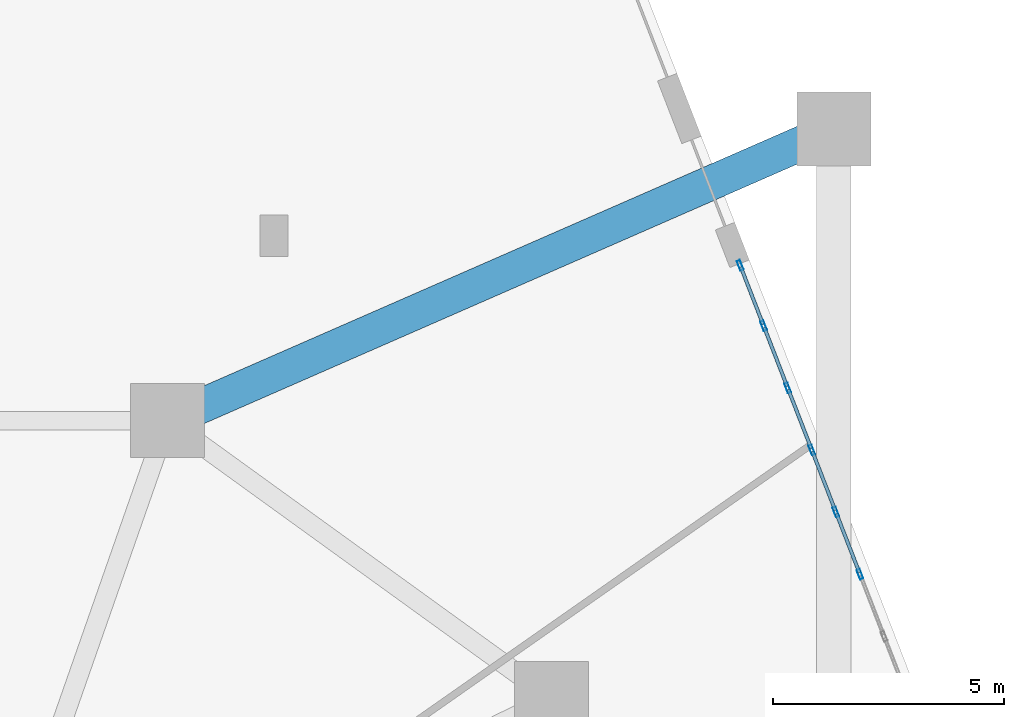
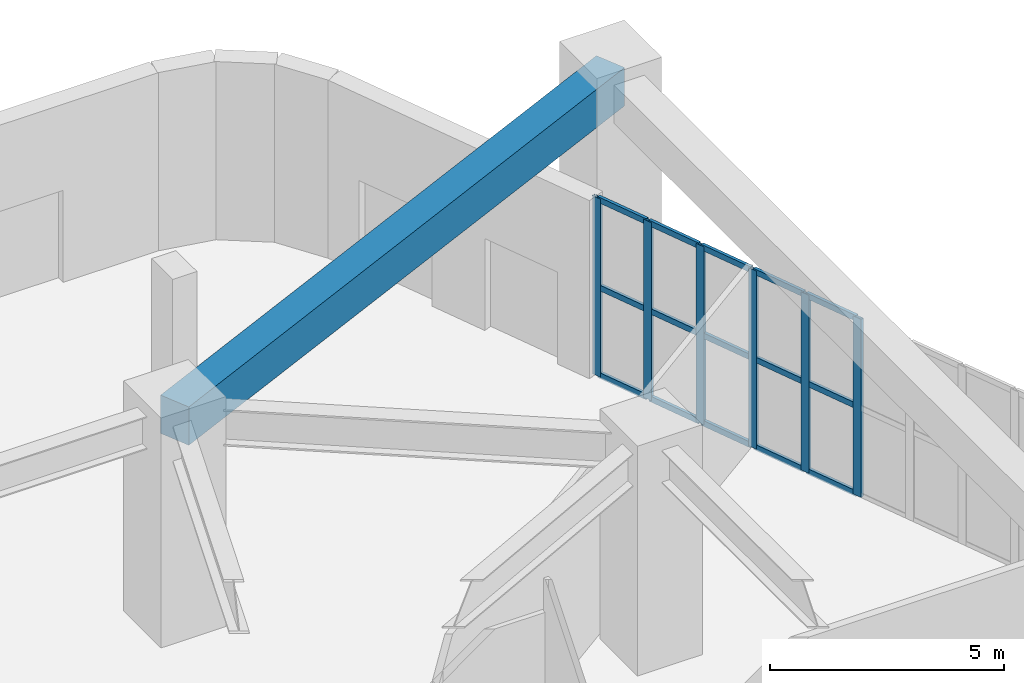
# One storey, part 19 of 35: 21 members, 1 beam, 1 element without a shape of its own.
"""IFC4 building model written with IfcOpenShell, lengths in metres."""

import ifcopenshell
import ifcopenshell.guid

model = None  # the IFC model being written
_history = None  # IfcOwnerHistory: only IFC2X3 demands one
_inside = {}  # id of a spatial element -> (the spatial element, [elements in it])
_under = {}  # id of a project, library or spatial element -> (it, [spatial elements below it])
_declared = {}  # id of a project -> (the project, [libraries it declares])
_typed = {}  # id of a type object -> (the type object, [elements of that type])
_made_of = {}  # id of a material, layer set ... -> (it, [elements and type objects made of it])


def new_model(schema):
    """Start an empty IFC model of exactly this schema.

    Asked for "IFC4X3", IfcOpenShell would pick the latest addendum, in which some entities
    have other attributes; the version numbers below select the first issue.
    IFC2X3 requires an IfcOwnerHistory on every rooted entity: one is made here for all.
    """
    global model, _history
    if schema == "IFC4X3":
        model = ifcopenshell.file(schema_version=(4, 3, 0, 0))
    else:
        model = ifcopenshell.file(schema=schema)
    _inside.clear()
    _under.clear()
    _declared.clear()
    _typed.clear()
    _made_of.clear()
    _history = None
    if model.schema == "IFC2X3":
        org = make("IfcOrganization", Name="unknown")
        user = make(
            "IfcPersonAndOrganization",
            ThePerson=make("IfcPerson", FamilyName="unknown"),
            TheOrganization=org,
        )
        app = make(
            "IfcApplication",
            ApplicationDeveloper=org,
            Version="unknown",
            ApplicationFullName="unknown",
            ApplicationIdentifier="unknown",
        )
        _history = make(
            "IfcOwnerHistory",
            OwningUser=user,
            OwningApplication=app,
            ChangeAction="ADDED",
            CreationDate=0,
        )
    return model


def make(cls, **values):
    """One entity of the class cls with the attributes given. An attribute that is None is left unset."""
    return model.create_entity(
        cls, **{name: value for name, value in values.items() if value is not None}
    )


def rooted(cls, **values):
    """An entity with a GlobalId (a new one), such as an element, a storey or a relation."""
    return make(cls, GlobalId=ifcopenshell.guid.new(), OwnerHistory=_history, **values)


def si_unit(unit_type, name, prefix=None):
    """IfcSIUnit, for example si_unit("LENGTHUNIT", "METRE", prefix="MILLI")."""
    return make("IfcSIUnit", UnitType=unit_type, Prefix=prefix, Name=name)


def assignment(units):
    """IfcUnitAssignment: the units of a project."""
    return None if units is None else make("IfcUnitAssignment", Units=units)


def point(xyz):
    """IfcCartesianPoint."""
    return None if xyz is None else make("IfcCartesianPoint", Coordinates=xyz)


def direction(xyz):
    """IfcDirection."""
    return None if xyz is None else make("IfcDirection", DirectionRatios=xyz)


def frame(location, z_axis=None, x_axis=None):
    """IfcAxis2Placement3D, a coordinate frame: its origin and axes. An axis left out is left unset."""
    return make(
        "IfcAxis2Placement3D",
        Location=point(location),
        Axis=direction(z_axis),
        RefDirection=direction(x_axis),
    )


def frame_2d(location, x_axis=None):
    """IfcAxis2Placement2D, a coordinate frame in the plane: its origin and x axis."""
    return make(
        "IfcAxis2Placement2D", Location=point(location), RefDirection=direction(x_axis)
    )


def origin():
    """The frame at (0, 0, 0) with its axes left unset."""
    return frame((0.0, 0.0, 0.0))


def origin_2d():
    """The frame at (0, 0) in the plane with its x axis left unset."""
    return frame_2d((0.0, 0.0))


def place(relative_to, where):
    """IfcLocalPlacement: puts the frame where relative to a parent placement (None: the world)."""
    return make(
        "IfcLocalPlacement", PlacementRelTo=relative_to, RelativePlacement=where
    )


def context(
    kind, dimensions, precision=None, world=None, true_north=None, identifier=None
):
    """IfcGeometricRepresentationContext, for example the 3D "Model" context."""
    return make(
        "IfcGeometricRepresentationContext",
        ContextIdentifier=identifier,
        ContextType=kind,
        CoordinateSpaceDimension=dimensions,
        Precision=precision,
        WorldCoordinateSystem=world,
        TrueNorth=true_north,
    )


def subcontext(parent, identifier, kind, view, scale=None):
    """IfcGeometricRepresentationSubContext, for example "Body" below "Model"."""
    return make(
        "IfcGeometricRepresentationSubContext",
        ContextIdentifier=identifier,
        ContextType=kind,
        ParentContext=parent,
        TargetScale=scale,
        TargetView=view,
    )


def project(units=None, contexts=None):
    """IfcProject with its units and contexts."""
    return rooted(
        "IfcProject",
        Name="project",
        RepresentationContexts=contexts,
        UnitsInContext=assignment(units),
    )


def spatial(cls, under=None, at=None, **own):
    """A site, building, storey or space (cls), placed at a placement, below another one or the project."""
    s = rooted(cls, ObjectPlacement=at, **own)
    if under is not None:
        _under.setdefault(under.id(), (under, []))[1].append(s)
    return s


def profile(cls, at=None, kind="AREA", **sizes):
    """A parametric profile (cls). Its sizes go by their IFC names, for example OverallWidth=200.0."""
    return make(cls, ProfileType=kind, Position=at, **sizes)


def rectangle(**sizes):
    """IfcRectangleProfileDef."""
    return profile("IfcRectangleProfileDef", **sizes)


def hollow_rectangle(**sizes):
    """IfcRectangleHollowProfileDef."""
    return profile("IfcRectangleHollowProfileDef", **sizes)


def extrude(swept, where, along, depth):
    """IfcExtrudedAreaSolid: the profile swept, set in the frame where, extruded along a direction by depth."""
    return make(
        "IfcExtrudedAreaSolid",
        SweptArea=swept,
        Position=where,
        ExtrudedDirection=direction(along),
        Depth=depth,
    )


def shape(context_of_items, identifier, shape_type, items):
    """IfcShapeRepresentation: the items that make up one representation, for example the "Body"."""
    return make(
        "IfcShapeRepresentation",
        ContextOfItems=context_of_items,
        RepresentationIdentifier=identifier,
        RepresentationType=shape_type,
        Items=items,
    )


def material(Name=None, Category=None):
    """IfcMaterial."""
    return make("IfcMaterial", Name=Name, Category=Category)


def layer(
    of_material, thickness, ventilated=None, Name=None, Category=None, Priority=None
):
    """IfcMaterialLayer: one layer of a wall or slab, of a material (None: an air gap)."""
    return make(
        "IfcMaterialLayer",
        Material=of_material,
        LayerThickness=thickness,
        IsVentilated=ventilated,
        Name=Name,
        Category=Category,
        Priority=Priority,
    )


def layer_set(layers, Name=None):
    """IfcMaterialLayerSet."""
    return make("IfcMaterialLayerSet", MaterialLayers=layers, LayerSetName=Name)


def material_profile(
    of_material, cross_section, Name=None, Category=None, Priority=None
):
    """IfcMaterialProfile: a cross section and its material."""
    return make(
        "IfcMaterialProfile",
        Name=Name,
        Material=of_material,
        Profile=cross_section,
        Priority=Priority,
        Category=Category,
    )


def profile_set(profiles, Name=None, composite=None):
    """IfcMaterialProfileSet."""
    return make(
        "IfcMaterialProfileSet",
        Name=Name,
        MaterialProfiles=profiles,
        CompositeProfile=composite,
    )


def made_of(thing, what):
    """Note that an element or type object is made of a material, layer set ...; save() writes the relation."""
    if what is not None:
        _made_of.setdefault(what.id(), (what, []))[1].append(thing)
    return thing


def type_object(cls, material=None, **own):
    """A type object (cls), such as IfcWallType, which elements share."""
    return made_of(rooted(cls, **own), material)


def element(
    cls,
    number,
    at=None,
    inside=None,
    cuts=None,
    type_object=None,
    material=None,
    context=None,
    identifier="Body",
    shape_type=None,
    held_by="IfcProductDefinitionShape",
    body=None,
    shapes=None,
    **own,
):
    """One element of the class cls, such as IfcWall. Its Tag is "e" and its number.

    at: its placement. inside: the storey or other place that contains it. cuts: it is an
    opening in that element (IfcRelVoidsElement). A single representation is given by context,
    identifier, shape_type and body (its items); several are given by shapes. held_by: the class
    of the entity that holds the representations. save() writes the other relations.
    """
    e = rooted(cls, Tag="e%d" % number, ObjectPlacement=at, **own)
    if body is not None:
        shapes = [shape(context, identifier, shape_type, body)]
    if shapes is not None:
        e.Representation = make(held_by, Representations=shapes)
    if inside is not None:
        _inside.setdefault(inside.id(), (inside, []))[1].append(e)
    if cuts is not None:
        rooted(
            "IfcRelVoidsElement", RelatingBuildingElement=cuts, RelatedOpeningElement=e
        )
    if type_object is not None:
        _typed.setdefault(type_object.id(), (type_object, []))[1].append(e)
    return made_of(e, material)


def aggregate(whole, parts):
    """IfcRelAggregates: a whole, such as a stair, and the parts it consists of."""
    return rooted("IfcRelAggregates", RelatingObject=whole, RelatedObjects=parts)


def save(model, path):
    """Write the relations noted so far, then the file.

    IfcRelAggregates (storeys below a building ...), IfcRelContainedInSpatialStructure (elements
    in a storey), IfcRelDefinesByType, IfcRelAssociatesMaterial and IfcRelDeclares: one each for
    every whole, place, type object, material and project.
    """
    for whole, parts in _under.values():
        aggregate(whole, parts)
    for where, things in _inside.values():
        rooted(
            "IfcRelContainedInSpatialStructure",
            RelatedElements=things,
            RelatingStructure=where,
        )
    for kind, things in _typed.values():
        rooted("IfcRelDefinesByType", RelatedObjects=things, RelatingType=kind)
    for what, things in _made_of.values():
        rooted("IfcRelAssociatesMaterial", RelatedObjects=things, RelatingMaterial=what)
    for by, libraries in _declared.values():
        rooted("IfcRelDeclares", RelatingContext=by, RelatedDefinitions=libraries)
    model.write(path)


model = new_model("IFC4")

# Units and contexts
model_context = context("Model", 3, precision=1e-05, world=origin(), true_north=direction((0.0, 1.0)))
body_context = subcontext(model_context, "Body", "Model", "MODEL_VIEW")
ifc_project = project(units=[si_unit("LENGTHUNIT", "METRE"), si_unit("AREAUNIT", "SQUARE_METRE"), si_unit("VOLUMEUNIT", "CUBIC_METRE"), si_unit("PLANEANGLEUNIT", "RADIAN"), si_unit("MASSUNIT", "GRAM", prefix="KILO")], contexts=[model_context])

# Site, building, storey
site_placement = place(None, origin())
site = spatial("IfcSite", under=ifc_project, at=site_placement, CompositionType="ELEMENT")
building_placement = place(site_placement, origin())
building = spatial("IfcBuilding", under=site, at=building_placement, Name="Kilnhurst Terrace Hotel", CompositionType="ELEMENT")
storey_placement = place(building_placement, origin())
storey = spatial("IfcBuildingStorey", under=building, at=storey_placement, Name="L00", CompositionType="ELEMENT", Elevation=0.0)

# Curtain wall, members
ifc_material_1 = material(Name="Anodized Aluminium Alloy 6063-T6 and Low-E Glass", Category="aluminium")
ifc_layer = layer(ifc_material_1, 0.219970703125, Name="Anodized Aluminium Alloy 6063-T6 and Low-E Glass")
ifc_layer_set = layer_set([ifc_layer], Name="Anodized Aluminium Alloy 6063-T6 and Low-E Glass")
curtain_wall_type = type_object("IfcCurtainWallType", Name="CW-POD-LOBBY", PredefinedType="NOTDEFINED", material=ifc_layer_set)
curtain_wall_placement = place(storey_placement, origin())
curtain_wall = element("IfcCurtainWall", 1, at=curtain_wall_placement, inside=storey, type_object=curtain_wall_type, Name="L00 Curtain Wall CW-L00-F3-1", PredefinedType="NOTDEFINED")
ifc_material_2 = material(Name="Extruded Aluminium Alloy 6063-T6", Category="aluminium")
ifc_material_profile_1 = material_profile(ifc_material_2, hollow_rectangle(XDim=0.074951171875, YDim=0.219970703125, WallThickness=0.00390625, at=origin_2d()), Name="CWM75X220")
ifc_profile_set_1 = profile_set([ifc_material_profile_1], Name="Extruded Aluminium Alloy 6063-T6")
member_type_1 = type_object("IfcMemberType", Name="MEM-CWM75X220", PredefinedType="MULLION", material=ifc_profile_set_1)
member_1_placement = place(storey_placement, frame((28.163818359375, 16.183349609375, 0.0), z_axis=(0.0, 0.0, 1.0), x_axis=(-0.932318230572, -0.361638931731, 0.0)))
member_1 = element("IfcMember", 2, at=member_1_placement, type_object=member_type_1, Name="CWL-1 mullion 6", PredefinedType="MULLION", context=body_context, shape_type="SweptSolid", body=[
    extrude(hollow_rectangle(XDim=0.074951171875, YDim=0.219970703125, WallThickness=0.00390625, at=origin_2d()), origin(), (0.0, 0.0, 1.0), 4.64990234375),
])
member_2_placement = place(storey_placement, frame((27.6435546875, 17.52490234375, 0.0), z_axis=(0.0, 0.0, 1.0), x_axis=(-0.932318230572, -0.361638931731, 0.0)))
member_2 = element("IfcMember", 3, at=member_2_placement, type_object=member_type_1, Name="CWL-1 mullion 7", PredefinedType="MULLION", context=body_context, shape_type="SweptSolid", body=[
    extrude(hollow_rectangle(XDim=0.074951171875, YDim=0.219970703125, WallThickness=0.00390625, at=origin_2d()), origin(), (0.0, 0.0, 1.0), 4.64990234375),
])
member_3_placement = place(storey_placement, frame((27.123046875, 18.866455078125, 0.0), z_axis=(0.0, 0.0, 1.0), x_axis=(-0.932318230572, -0.361638931731, 0.0)))
member_3 = element("IfcMember", 4, at=member_3_placement, type_object=member_type_1, Name="CWL-1 mullion 8", PredefinedType="MULLION", context=body_context, shape_type="SweptSolid", body=[
    extrude(hollow_rectangle(XDim=0.074951171875, YDim=0.219970703125, WallThickness=0.00390625, at=origin_2d()), origin(), (0.0, 0.0, 1.0), 4.64990234375),
])
member_4_placement = place(storey_placement, frame((26.602783203125, 20.2080078125, 0.0), z_axis=(0.0, 0.0, 1.0), x_axis=(-0.932318230572, -0.361638931731, 0.0)))
member_4 = element("IfcMember", 5, at=member_4_placement, type_object=member_type_1, Name="CWL-1 mullion 9", PredefinedType="MULLION", context=body_context, shape_type="SweptSolid", body=[
    extrude(hollow_rectangle(XDim=0.074951171875, YDim=0.219970703125, WallThickness=0.00390625, at=origin_2d()), origin(), (0.0, 0.0, 1.0), 4.64990234375),
])
member_5_placement = place(storey_placement, frame((26.082275390625, 21.5498046875, 0.0), z_axis=(0.0, 0.0, 1.0), x_axis=(-0.932318230572, -0.361638931731, 0.0)))
member_5 = element("IfcMember", 6, at=member_5_placement, type_object=member_type_1, Name="CWL-1 mullion 10", PredefinedType="MULLION", context=body_context, shape_type="SweptSolid", body=[
    extrude(hollow_rectangle(XDim=0.074951171875, YDim=0.219970703125, WallThickness=0.00390625, at=origin_2d()), origin(), (0.0, 0.0, 1.0), 4.64990234375),
])
member_6_placement = place(storey_placement, frame((25.575439453125, 22.8564453125, 0.0), z_axis=(0.0, 0.0, 1.0), x_axis=(-0.932318230572, -0.361638931731, 0.0)))
member_6 = element("IfcMember", 7, at=member_6_placement, type_object=member_type_1, Name="CWL-1 mullion 11", PredefinedType="MULLION", context=body_context, shape_type="SweptSolid", body=[
    extrude(hollow_rectangle(XDim=0.074951171875, YDim=0.219970703125, WallThickness=0.00390625, at=origin_2d()), origin(), (0.0, 0.0, 1.0), 4.64990234375),
])
ifc_material_profile_2 = material_profile(ifc_material_2, hollow_rectangle(XDim=0.074951171875, YDim=0.14990234375, WallThickness=0.00390625, at=origin_2d()), Name="CWT75X150")
ifc_profile_set_2 = profile_set([ifc_material_profile_2], Name="Extruded Aluminium Alloy 6063-T6")
member_type_2 = type_object("IfcMemberType", Name="MEM-CWT75X150", PredefinedType="USERDEFINED", material=ifc_profile_set_2)
member_7_placement = place(storey_placement, frame((28.150390625, 16.21826171875, 0.03759765625), z_axis=(-0.361712008162, 0.932289881502, 0.0), x_axis=(-0.932289881502, -0.361712008162, 0.0)))
member_7 = element("IfcMember", 8, at=member_7_placement, type_object=member_type_2, Name="CWL-1 transom 6.1", ObjectType="TRANSOM", PredefinedType="USERDEFINED", context=body_context, shape_type="SweptSolid", body=[
    extrude(hollow_rectangle(XDim=0.074951171875, YDim=0.14990234375, WallThickness=0.00390625, at=origin_2d()), origin(), (0.0, 0.0, 1.0), 1.364013671875),
])
member_8_placement = place(storey_placement, frame((28.150390625, 16.21826171875, 2.324951171875), z_axis=(-0.361712008162, 0.932289881502, 0.0), x_axis=(-0.932289881502, -0.361712008162, 0.0)))
member_8 = element("IfcMember", 9, at=member_8_placement, type_object=member_type_2, Name="CWL-1 transom 6.2", ObjectType="TRANSOM", PredefinedType="USERDEFINED", context=body_context, shape_type="SweptSolid", body=[
    extrude(hollow_rectangle(XDim=0.074951171875, YDim=0.14990234375, WallThickness=0.00390625, at=origin_2d()), origin(), (0.0, 0.0, 1.0), 1.364013671875),
])
member_9_placement = place(storey_placement, frame((28.150390625, 16.21826171875, 4.612548828125), z_axis=(-0.361712008162, 0.932289881502, 0.0), x_axis=(-0.932289881502, -0.361712008162, 0.0)))
member_9 = element("IfcMember", 10, at=member_9_placement, type_object=member_type_2, Name="CWL-1 transom 6.3", ObjectType="TRANSOM", PredefinedType="USERDEFINED", context=body_context, shape_type="SweptSolid", body=[
    extrude(hollow_rectangle(XDim=0.074951171875, YDim=0.14990234375, WallThickness=0.00390625, at=origin_2d()), origin(), (0.0, 0.0, 1.0), 1.364013671875),
])
member_10_placement = place(storey_placement, frame((27.6298828125, 17.559814453125, 0.03759765625), z_axis=(-0.361556432835, 0.932350227048, 0.0), x_axis=(-0.932350227048, -0.361556432835, 0.0)))
member_10 = element("IfcMember", 11, at=member_10_placement, type_object=member_type_2, Name="CWL-1 transom 7.1", ObjectType="TRANSOM", PredefinedType="USERDEFINED", context=body_context, shape_type="SweptSolid", body=[
    extrude(hollow_rectangle(XDim=0.074951171875, YDim=0.14990234375, WallThickness=0.00390625, at=origin_2d()), origin(), (0.0, 0.0, 1.0), 1.364013671875),
])
member_11_placement = place(storey_placement, frame((27.6298828125, 17.559814453125, 2.324951171875), z_axis=(-0.361556432835, 0.932350227048, 0.0), x_axis=(-0.932350227048, -0.361556432835, 0.0)))
member_11 = element("IfcMember", 12, at=member_11_placement, type_object=member_type_2, Name="CWL-1 transom 7.2", ObjectType="TRANSOM", PredefinedType="USERDEFINED", context=body_context, shape_type="SweptSolid", body=[
    extrude(hollow_rectangle(XDim=0.074951171875, YDim=0.14990234375, WallThickness=0.00390625, at=origin_2d()), origin(), (0.0, 0.0, 1.0), 1.364013671875),
])
member_12_placement = place(storey_placement, frame((27.6298828125, 17.559814453125, 4.612548828125), z_axis=(-0.361556432835, 0.932350227048, 0.0), x_axis=(-0.932350227048, -0.361556432835, 0.0)))
member_12 = element("IfcMember", 13, at=member_12_placement, type_object=member_type_2, Name="CWL-1 transom 7.3", ObjectType="TRANSOM", PredefinedType="USERDEFINED", context=body_context, shape_type="SweptSolid", body=[
    extrude(hollow_rectangle(XDim=0.074951171875, YDim=0.14990234375, WallThickness=0.00390625, at=origin_2d()), origin(), (0.0, 0.0, 1.0), 1.364013671875),
])
member_13_placement = place(storey_placement, frame((27.109619140625, 18.9013671875, 0.03759765625), z_axis=(-0.361712008162, 0.932289881502, 0.0), x_axis=(-0.932289881502, -0.361712008162, 0.0)))
member_13 = element("IfcMember", 14, at=member_13_placement, type_object=member_type_2, Name="CWL-1 transom 8.1", ObjectType="TRANSOM", PredefinedType="USERDEFINED", context=body_context, shape_type="SweptSolid", body=[
    extrude(hollow_rectangle(XDim=0.074951171875, YDim=0.14990234375, WallThickness=0.00390625, at=origin_2d()), origin(), (0.0, 0.0, 1.0), 1.364013671875),
])
member_14_placement = place(storey_placement, frame((27.109619140625, 18.9013671875, 2.324951171875), z_axis=(-0.361712008162, 0.932289881502, 0.0), x_axis=(-0.932289881502, -0.361712008162, 0.0)))
member_14 = element("IfcMember", 15, at=member_14_placement, type_object=member_type_2, Name="CWL-1 transom 8.2", ObjectType="TRANSOM", PredefinedType="USERDEFINED", context=body_context, shape_type="SweptSolid", body=[
    extrude(hollow_rectangle(XDim=0.074951171875, YDim=0.14990234375, WallThickness=0.00390625, at=origin_2d()), origin(), (0.0, 0.0, 1.0), 1.364013671875),
])
member_15_placement = place(storey_placement, frame((27.109619140625, 18.9013671875, 4.612548828125), z_axis=(-0.361712008162, 0.932289881502, 0.0), x_axis=(-0.932289881502, -0.361712008162, 0.0)))
member_15 = element("IfcMember", 16, at=member_15_placement, type_object=member_type_2, Name="CWL-1 transom 8.3", ObjectType="TRANSOM", PredefinedType="USERDEFINED", context=body_context, shape_type="SweptSolid", body=[
    extrude(hollow_rectangle(XDim=0.074951171875, YDim=0.14990234375, WallThickness=0.00390625, at=origin_2d()), origin(), (0.0, 0.0, 1.0), 1.364013671875),
])
member_16_placement = place(storey_placement, frame((26.589111328125, 20.242919921875, 0.03759765625), z_axis=(-0.361556432835, 0.932350227048, 0.0), x_axis=(-0.932350227048, -0.361556432835, 0.0)))
member_16 = element("IfcMember", 17, at=member_16_placement, type_object=member_type_2, Name="CWL-1 transom 9.1", ObjectType="TRANSOM", PredefinedType="USERDEFINED", context=body_context, shape_type="SweptSolid", body=[
    extrude(hollow_rectangle(XDim=0.074951171875, YDim=0.14990234375, WallThickness=0.00390625, at=origin_2d()), origin(), (0.0, 0.0, 1.0), 1.364013671875),
])
member_17_placement = place(storey_placement, frame((26.589111328125, 20.242919921875, 2.324951171875), z_axis=(-0.361556432835, 0.932350227048, 0.0), x_axis=(-0.932350227048, -0.361556432835, 0.0)))
member_17 = element("IfcMember", 18, at=member_17_placement, type_object=member_type_2, Name="CWL-1 transom 9.2", ObjectType="TRANSOM", PredefinedType="USERDEFINED", context=body_context, shape_type="SweptSolid", body=[
    extrude(hollow_rectangle(XDim=0.074951171875, YDim=0.14990234375, WallThickness=0.00390625, at=origin_2d()), origin(), (0.0, 0.0, 1.0), 1.364013671875),
])
member_18_placement = place(storey_placement, frame((26.589111328125, 20.242919921875, 4.612548828125), z_axis=(-0.361556432835, 0.932350227048, 0.0), x_axis=(-0.932350227048, -0.361556432835, 0.0)))
member_18 = element("IfcMember", 19, at=member_18_placement, type_object=member_type_2, Name="CWL-1 transom 9.3", ObjectType="TRANSOM", PredefinedType="USERDEFINED", context=body_context, shape_type="SweptSolid", body=[
    extrude(hollow_rectangle(XDim=0.074951171875, YDim=0.14990234375, WallThickness=0.00390625, at=origin_2d()), origin(), (0.0, 0.0, 1.0), 1.364013671875),
])
member_19_placement = place(storey_placement, frame((26.06884765625, 21.584716796875, 0.03759765625), z_axis=(-0.3616911232, 0.932297984229, 0.0), x_axis=(-0.932297984229, -0.3616911232, 0.0)))
member_19 = element("IfcMember", 20, at=member_19_placement, type_object=member_type_2, Name="CWL-1 transom 10.1", ObjectType="TRANSOM", PredefinedType="USERDEFINED", context=body_context, shape_type="SweptSolid", body=[
    extrude(hollow_rectangle(XDim=0.074951171875, YDim=0.14990234375, WallThickness=0.00390625, at=origin_2d()), origin(), (0.0, 0.0, 1.0), 1.326416015625),
])
member_20_placement = place(storey_placement, frame((26.06884765625, 21.584716796875, 2.324951171875), z_axis=(-0.3616911232, 0.932297984229, 0.0), x_axis=(-0.932297984229, -0.3616911232, 0.0)))
member_20 = element("IfcMember", 21, at=member_20_placement, type_object=member_type_2, Name="CWL-1 transom 10.2", ObjectType="TRANSOM", PredefinedType="USERDEFINED", context=body_context, shape_type="SweptSolid", body=[
    extrude(hollow_rectangle(XDim=0.074951171875, YDim=0.14990234375, WallThickness=0.00390625, at=origin_2d()), origin(), (0.0, 0.0, 1.0), 1.326416015625),
])
member_21_placement = place(storey_placement, frame((26.06884765625, 21.584716796875, 4.612548828125), z_axis=(-0.3616911232, 0.932297984229, 0.0), x_axis=(-0.932297984229, -0.3616911232, 0.0)))
member_21 = element("IfcMember", 22, at=member_21_placement, type_object=member_type_2, Name="CWL-1 transom 10.3", ObjectType="TRANSOM", PredefinedType="USERDEFINED", context=body_context, shape_type="SweptSolid", body=[
    extrude(hollow_rectangle(XDim=0.074951171875, YDim=0.14990234375, WallThickness=0.00390625, at=origin_2d()), origin(), (0.0, 0.0, 1.0), 1.326416015625),
])
aggregate(curtain_wall, [member_1, member_2, member_3, member_4, member_5, member_6, member_7, member_8, member_9, member_10, member_11, member_12, member_13, member_14, member_15, member_16, member_17, member_18, member_19, member_20, member_21])

# Beam
ifc_material_3 = material(Name="Concrete C50/60", Category="concrete")
ifc_material_profile_3 = material_profile(ifc_material_3, rectangle(XDim=0.75, YDim=1.0, at=origin_2d()), Name="RC750X1000")
ifc_profile_set_3 = profile_set([ifc_material_profile_3], Name="Concrete C50/60")
beam_type = type_object("IfcBeamType", Name="TBM-GAR-750X1000", PredefinedType="T_BEAM", material=ifc_profile_set_3)
beam_placement = place(storey_placement, frame((27.60009765625, 25.800048828125, 5.179931640625), z_axis=(-0.916157691387, -0.400818019196, 0.0), x_axis=(0.400818019196, -0.916157691387, 0.0)))
element("IfcBeam", 23, at=beam_placement, inside=storey, type_object=beam_type, Name="L00 Outer Ring Tee Beam 6", PredefinedType="T_BEAM", context=body_context, shape_type="SweptSolid", body=[
    extrude(rectangle(XDim=0.75, YDim=1.0, at=origin_2d()), origin(), (0.0, 0.0, 1.0), 15.718017578125),
])

save(model, "model.ifc")
